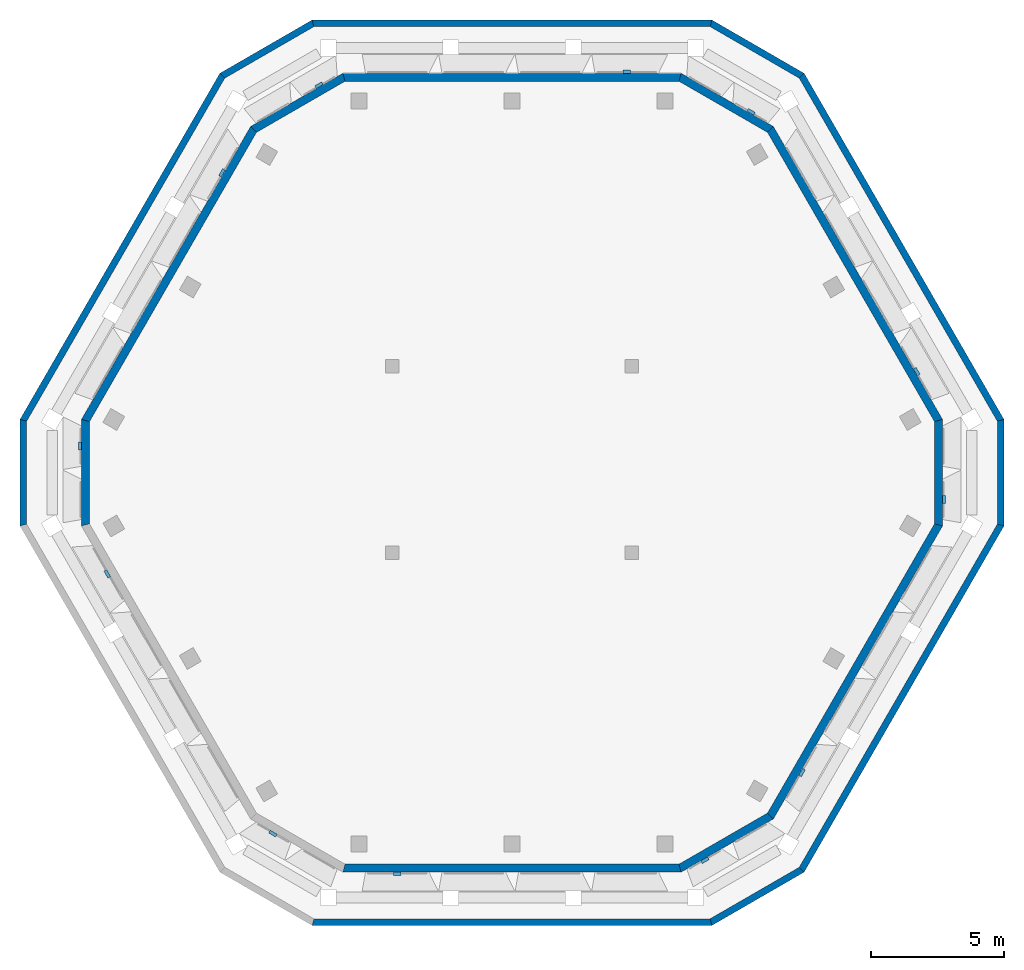
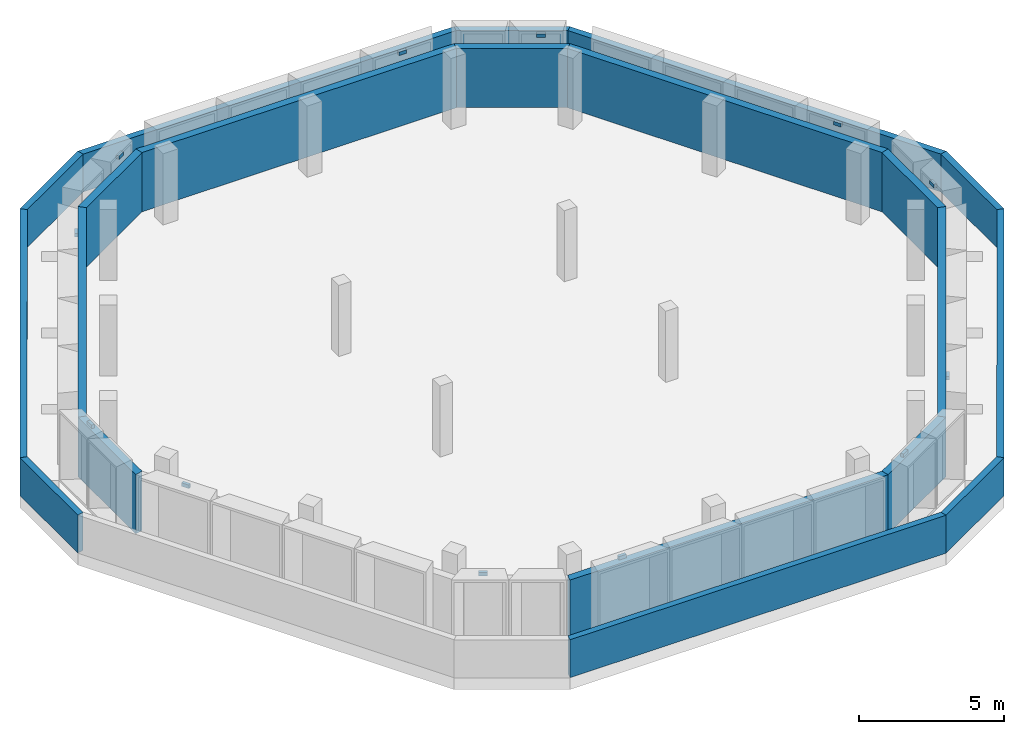
# One storey, part 2 of 3: 20 walls, 12 discrete accessories.
"""IFC4 building model written with IfcOpenShell, lengths in metres."""

from ifc_helpers import new_model, si_unit, direction, frame, origin, place, context, subcontext, project, spatial, polyline, outline, extrude, source, transform, mapped, material, layer, layer_set, type_object, type_shapes, element, save


model = new_model("IFC4")

# Units and contexts
model_context = context("Model", 3, precision=1e-05, world=origin(), true_north=direction((0.0, 1.0)))
body_context = subcontext(model_context, "Body", "Model", "MODEL_VIEW")
ifc_project = project(units=[si_unit("LENGTHUNIT", "METRE"), si_unit("AREAUNIT", "SQUARE_METRE"), si_unit("VOLUMEUNIT", "CUBIC_METRE"), si_unit("PLANEANGLEUNIT", "RADIAN"), si_unit("MASSUNIT", "GRAM", prefix="KILO")], contexts=[model_context])

# Site, building, storey
site_placement = place(None, origin())
site = spatial("IfcSite", under=ifc_project, at=site_placement, CompositionType="ELEMENT")
building_placement = place(site_placement, origin())
building = spatial("IfcBuilding", under=site, at=building_placement, Name="Beryl Residences", CompositionType="ELEMENT")
storey_placement = place(building_placement, frame((0.0, 0.0, 250.800048828125)))
storey = spatial("IfcBuildingStorey", under=building, at=storey_placement, Name="L78", CompositionType="ELEMENT", Elevation=250.800048828125)

# Walls
ifc_material_1 = material(Name="Composite metal panel with mineral wool insulation")
ifc_layer_1 = layer(ifc_material_1, 0.300048828125)
ifc_layer_set_1 = layer_set([ifc_layer_1], Name="ES1 pale metal composite panel wall 300 mm")
wall_type_1 = type_object("IfcWallType", Name="ES1 pale metal composite panel wall 300 mm", PredefinedType="SOLIDWALL", material=ifc_layer_set_1)
wall_1_placement = place(storey_placement, frame((6.35107421875, 14.85009765625, 0.0), z_axis=(0.0, 0.0, 1.0), x_axis=(-1.0, 0.0, 0.0)))
element("IfcWall", 1, at=wall_1_placement, inside=storey, type_object=wall_type_1, Name="ES1 external wall L78 N", PredefinedType="SOLIDWALL", context=body_context, shape_type="SweptSolid", body=[
    extrude(outline(polyline([(0.0, -0.14990234375), (12.7021484375, -0.14990234375), (12.621826171875, 0.14990234375), (0.080322265625, 0.14990234375), (0.0, -0.14990234375)])), origin(), (0.0, 0.0, 1.0), 2.5),
])
wall_2_placement = place(storey_placement, frame((-6.27587890625, 14.8701171875, 0.0), z_axis=(0.0, 0.0, 1.0), x_axis=(-0.866026010844, -0.49999894854, 0.0)))
element("IfcWall", 2, at=wall_2_placement, inside=storey, type_object=wall_type_1, Name="ES1 external wall L78 N-NW", PredefinedType="SOLIDWALL", context=body_context, shape_type="SweptSolid", body=[
    extrude(outline(polyline([(0.0, -0.14990234375), (4.0, -0.14990234375), (3.919677734375, 0.14990234375), (0.080322265625, 0.14990234375), (0.0, -0.14990234375)])), origin(), (0.0, 0.0, 1.0), 2.5),
])
wall_3_placement = place(storey_placement, frame((-9.68505859375, 12.925048828125, 0.0), z_axis=(0.0, 0.0, 1.0), x_axis=(-0.499998648824, -0.866026183885, 0.0)))
element("IfcWall", 3, at=wall_3_placement, inside=storey, type_object=wall_type_1, Name="ES1 external wall L78 NW", PredefinedType="SOLIDWALL", context=body_context, shape_type="SweptSolid", body=[
    extrude(outline(polyline([(0.0, -0.14990234375), (12.70166015625, -0.14990234375), (12.621337890625, 0.14990234375), (0.080322265625, 0.14990234375), (0.0, -0.14990234375)])), origin(), (0.0, 0.0, 1.0), 2.5),
])
wall_4_placement = place(storey_placement, frame((-16.01611328125, 2.0, 0.0), z_axis=(0.0, 0.0, 1.0), x_axis=(0.0, -1.0, 0.0)))
element("IfcWall", 4, at=wall_4_placement, inside=storey, type_object=wall_type_1, Name="ES1 external wall L78 NW-SW", PredefinedType="SOLIDWALL", context=body_context, shape_type="SweptSolid", body=[
    extrude(outline(polyline([(0.0, -0.14990234375), (4.0, -0.14990234375), (3.919677734375, 0.14990234375), (0.080322265625, 0.14990234375), (0.0, -0.14990234375)])), origin(), (0.0, 0.0, 1.0), 2.5),
])
wall_5_placement = place(storey_placement, frame((-6.35107421875, -14.85009765625, 0.0), z_axis=(0.0, 0.0, 1.0), x_axis=(1.0, 0.0, 0.0)))
element("IfcWall", 5, at=wall_5_placement, inside=storey, type_object=wall_type_1, Name="ES1 external wall L78 S", PredefinedType="SOLIDWALL", context=body_context, shape_type="SweptSolid", body=[
    extrude(outline(polyline([(0.0, -0.14990234375), (12.7021484375, -0.14990234375), (12.621826171875, 0.14990234375), (0.080322265625, 0.14990234375), (0.0, -0.14990234375)])), origin(), (0.0, 0.0, 1.0), 2.5),
])
wall_6_placement = place(storey_placement, frame((6.27587890625, -14.8701171875, 0.0), z_axis=(0.0, 0.0, 1.0), x_axis=(0.866026010844, 0.49999894854, 0.0)))
element("IfcWall", 6, at=wall_6_placement, inside=storey, type_object=wall_type_1, Name="ES1 external wall L78 S-SE", PredefinedType="SOLIDWALL", context=body_context, shape_type="SweptSolid", body=[
    extrude(outline(polyline([(0.0, -0.14990234375), (4.0, -0.14990234375), (3.919677734375, 0.14990234375), (0.080322265625, 0.14990234375), (0.0, -0.14990234375)])), origin(), (0.0, 0.0, 1.0), 2.5),
])
wall_7_placement = place(storey_placement, frame((9.68505859375, -12.925048828125, 0.0), z_axis=(0.0, 0.0, 1.0), x_axis=(0.499998648824, 0.866026183885, 0.0)))
element("IfcWall", 7, at=wall_7_placement, inside=storey, type_object=wall_type_1, Name="ES1 external wall L78 SE", PredefinedType="SOLIDWALL", context=body_context, shape_type="SweptSolid", body=[
    extrude(outline(polyline([(0.0, -0.14990234375), (12.70166015625, -0.14990234375), (12.621337890625, 0.14990234375), (0.080322265625, 0.14990234375), (0.0, -0.14990234375)])), origin(), (0.0, 0.0, 1.0), 2.5),
])
wall_8_placement = place(storey_placement, frame((16.01611328125, -2.0, 0.0), z_axis=(0.0, 0.0, 1.0), x_axis=(0.0, 1.0, 0.0)))
element("IfcWall", 8, at=wall_8_placement, inside=storey, type_object=wall_type_1, Name="ES1 external wall L78 SE-NE", PredefinedType="SOLIDWALL", context=body_context, shape_type="SweptSolid", body=[
    extrude(outline(polyline([(0.0, -0.14990234375), (4.0, -0.14990234375), (3.919677734375, 0.14990234375), (0.080322265625, 0.14990234375), (0.0, -0.14990234375)])), origin(), (0.0, 0.0, 1.0), 2.5),
])
wall_9_placement = place(storey_placement, frame((16.035888671875, 1.925048828125, 0.0), z_axis=(0.0, 0.0, 1.0), x_axis=(-0.499998648824, 0.866026183885, 0.0)))
element("IfcWall", 9, at=wall_9_placement, inside=storey, type_object=wall_type_1, Name="ES1 external wall L78 NE", PredefinedType="SOLIDWALL", context=body_context, shape_type="SweptSolid", body=[
    extrude(outline(polyline([(0.0, -0.14990234375), (12.70166015625, -0.14990234375), (12.621337890625, 0.14990234375), (0.080322265625, 0.14990234375), (0.0, -0.14990234375)])), origin(), (0.0, 0.0, 1.0), 2.5),
])
wall_10_placement = place(storey_placement, frame((9.739990234375, 12.8701171875, 0.0), z_axis=(0.0, 0.0, 1.0), x_axis=(-0.866026010844, 0.49999894854, 0.0)))
element("IfcWall", 10, at=wall_10_placement, inside=storey, type_object=wall_type_1, Name="ES1 external wall L78 NE-N", PredefinedType="SOLIDWALL", context=body_context, shape_type="SweptSolid", body=[
    extrude(outline(polyline([(0.0, -0.14990234375), (4.0, -0.14990234375), (3.919677734375, 0.14990234375), (0.080322265625, 0.14990234375), (0.0, -0.14990234375)])), origin(), (0.0, 0.0, 1.0), 2.5),
])
ifc_material_2 = material(Name="Precast concrete C40/50", Category="concrete")
ifc_layer_2 = layer(ifc_material_2, 0.25)
ifc_layer_set_2 = layer_set([ifc_layer_2], Name="PA1 roof parapet 250 mm")
wall_type_2 = type_object("IfcWallType", Name="PA1 roof parapet 250 mm", PredefinedType="PARAPET", material=ifc_layer_set_2)
wall_11_placement = place(storey_placement, frame((7.444091796875, 16.89208984375, 0.0), z_axis=(0.0, 0.0, 1.0), x_axis=(0.865843918487, -0.50031421009, 0.0)))
element("IfcWall", 11, at=wall_11_placement, inside=storey, type_object=wall_type_2, Name="PA1 parapet L78 strip 1", PredefinedType="PARAPET", context=body_context, shape_type="SweptSolid", body=[
    extrude(outline(polyline([(0.067138671875, -0.125), (3.9326171875, -0.125), (3.99951171875, 0.125), (0.0, 0.125), (0.067138671875, -0.125)])), origin(), (0.0, 0.0, 1.0), 1.599853515625),
])
wall_12_placement = place(storey_placement, frame((10.861083984375, 14.93701171875, 0.0), z_axis=(0.0, 0.0, 1.0), x_axis=(0.500043453909, -0.866000314205, 0.0)))
element("IfcWall", 12, at=wall_12_placement, inside=storey, type_object=wall_type_2, Name="PA1 parapet L78 strip 2", PredefinedType="PARAPET", context=body_context, shape_type="SweptSolid", body=[
    extrude(outline(polyline([(0.06689453125, -0.125), (14.943603515625, -0.125), (15.010498046875, 0.125), (0.0, 0.125), (0.06689453125, -0.125)])), origin(), (0.0, 0.0, 1.0), 1.599853515625),
])
wall_13_placement = place(storey_placement, frame((18.35009765625, 2.0, 0.0), z_axis=(0.0, 0.0, 1.0), x_axis=(0.0, -1.0, 0.0)))
element("IfcWall", 13, at=wall_13_placement, inside=storey, type_object=wall_type_2, Name="PA1 parapet L78 strip 3", PredefinedType="PARAPET", context=body_context, shape_type="SweptSolid", body=[
    extrude(outline(polyline([(0.06689453125, -0.125), (3.93310546875, -0.125), (4.0, 0.125), (0.0, 0.125), (0.06689453125, -0.125)])), origin(), (0.0, 0.0, 1.0), 1.599853515625),
])
wall_14_placement = place(storey_placement, frame((18.366943359375, -1.93798828125, 0.0), z_axis=(0.0, 0.0, 1.0), x_axis=(-0.500043453909, -0.866000314205, 0.0)))
element("IfcWall", 14, at=wall_14_placement, inside=storey, type_object=wall_type_2, Name="PA1 parapet L78 strip 4", PredefinedType="PARAPET", context=body_context, shape_type="SweptSolid", body=[
    extrude(outline(polyline([(0.06689453125, -0.125), (14.943603515625, -0.125), (15.010498046875, 0.125), (0.0, 0.125), (0.06689453125, -0.125)])), origin(), (0.0, 0.0, 1.0), 1.599853515625),
])
wall_15_placement = place(storey_placement, frame((10.906982421875, -14.89111328125, 0.0), z_axis=(0.0, 0.0, 1.0), x_axis=(-0.865843918487, -0.50031421009, 0.0)))
element("IfcWall", 15, at=wall_15_placement, inside=storey, type_object=wall_type_2, Name="PA1 parapet L78 strip 5", PredefinedType="PARAPET", context=body_context, shape_type="SweptSolid", body=[
    extrude(outline(polyline([(0.06689453125, -0.125), (3.932373046875, -0.125), (3.99951171875, 0.125), (0.0, 0.125), (0.06689453125, -0.125)])), origin(), (0.0, 0.0, 1.0), 1.599853515625),
])
wall_16_placement = place(storey_placement, frame((7.507080078125, -16.875, 0.0), z_axis=(0.0, 0.0, 1.0), x_axis=(-1.0, 0.0, 0.0)))
element("IfcWall", 16, at=wall_16_placement, inside=storey, type_object=wall_type_2, Name="PA1 parapet L78 strip 6", PredefinedType="PARAPET", context=body_context, shape_type="SweptSolid", body=[
    extrude(outline(polyline([(0.067138671875, -0.125), (14.947021484375, -0.125), (15.01416015625, 0.125), (0.0, 0.125), (0.067138671875, -0.125)])), origin(), (0.0, 0.0, 1.0), 1.599853515625),
])
wall_17_placement = place(storey_placement, frame((-18.35009765625, -2.0, 0.0), z_axis=(0.0, 0.0, 1.0), x_axis=(0.0, 1.0, 0.0)))
element("IfcWall", 17, at=wall_17_placement, inside=storey, type_object=wall_type_2, Name="PA1 parapet L78 strip 9", PredefinedType="PARAPET", context=body_context, shape_type="SweptSolid", body=[
    extrude(outline(polyline([(0.06689453125, -0.125), (3.93310546875, -0.125), (4.0, 0.125), (0.0, 0.125), (0.06689453125, -0.125)])), origin(), (0.0, 0.0, 1.0), 1.599853515625),
])
wall_18_placement = place(storey_placement, frame((-18.366943359375, 1.93798828125, 0.0), z_axis=(0.0, 0.0, 1.0), x_axis=(0.500043453909, 0.866000314205, 0.0)))
element("IfcWall", 18, at=wall_18_placement, inside=storey, type_object=wall_type_2, Name="PA1 parapet L78 strip 10", PredefinedType="PARAPET", context=body_context, shape_type="SweptSolid", body=[
    extrude(outline(polyline([(0.06689453125, -0.125), (14.943603515625, -0.125), (15.010498046875, 0.125), (0.0, 0.125), (0.06689453125, -0.125)])), origin(), (0.0, 0.0, 1.0), 1.599853515625),
])
wall_19_placement = place(storey_placement, frame((-10.906982421875, 14.89111328125, 0.0), z_axis=(0.0, 0.0, 1.0), x_axis=(0.865843918487, 0.50031421009, 0.0)))
element("IfcWall", 19, at=wall_19_placement, inside=storey, type_object=wall_type_2, Name="PA1 parapet L78 strip 11", PredefinedType="PARAPET", context=body_context, shape_type="SweptSolid", body=[
    extrude(outline(polyline([(0.06689453125, -0.125), (3.932373046875, -0.125), (3.99951171875, 0.125), (0.0, 0.125), (0.06689453125, -0.125)])), origin(), (0.0, 0.0, 1.0), 1.599853515625),
])
wall_20_placement = place(storey_placement, frame((-7.507080078125, 16.875, 0.0), z_axis=(0.0, 0.0, 1.0), x_axis=(1.0, 0.0, 0.0)))
element("IfcWall", 20, at=wall_20_placement, inside=storey, type_object=wall_type_2, Name="PA1 parapet L78 strip 12", PredefinedType="PARAPET", context=body_context, shape_type="SweptSolid", body=[
    extrude(outline(polyline([(0.067138671875, -0.125), (14.947021484375, -0.125), (15.01416015625, 0.125), (0.0, 0.125), (0.067138671875, -0.125)])), origin(), (0.0, 0.0, 1.0), 1.599853515625),
])

# Discrete accessories
ifc_material_3 = material(Name="Steel S355", Category="steel")
discrete_accessory_type = type_object("IfcDiscreteAccessoryType", Name="BR1 frame bracket 300 x 120 x 150 mm", PredefinedType="BRACKET", material=ifc_material_3)
shared_shape = source(origin(), body_context, "Body", "SweptSolid", [
    extrude(outline(polyline([(-0.14990234375, 0.0), (0.14990234375, 0.0), (0.14990234375, 0.1201171875), (-0.14990234375, 0.1201171875), (-0.14990234375, 0.0)])), origin(), (0.0, 0.0, 1.0), 0.14990234375),
])
type_shapes(discrete_accessory_type, [shared_shape])
for number, where, z_axis, x_axis, name in (
    (21, (4.30908203125, 15.0, 2.75), (0.0, 0.0, 1.0), (1.0, 0.0, 0.0), "BR1 bracket L78 N 1"),
    (22, (-7.217041015625, 14.5, 2.75), (0.0, 0.0, 1.0), (0.866025403784, 0.5, 0.0), "BR1 bracket L78 N-NW 1"),
    (23, (-10.8359375, 11.23095703125, 2.75), (0.0, 0.0, 1.0), (0.5, 0.866025403784, 0.0), "BR1 bracket L78 NW 1"),
    (24, (-16.166015625, 1.0, 2.75), (0.0, 0.0, 1.0), (0.0, 1.0, 0.0), "BR1 bracket L78 NW-SW 1"),
    (25, (-15.14599609375, -3.76904296875, 2.75), (0.0, 0.0, 1.0), (-0.5, 0.866025403784, 0.0), "BR1 bracket L78 SW 1"),
    (26, (-8.948974609375, -13.5, 2.75), (0.0, 0.0, 1.0), (-0.866025403784, 0.5, 0.0), "BR1 bracket L78 SW-S 1"),
    (27, (-4.30908203125, -15.0, 2.75), (0.0, 0.0, 1.0), (-1.0, 0.0, 0.0), "BR1 bracket L78 S 1"),
    (28, (7.217041015625, -14.5, 2.75), (0.0, 0.0, 1.0), (-0.866025403784, -0.5, 0.0), "BR1 bracket L78 S-SE 1"),
    (29, (10.8359375, -11.23095703125, 2.75), (0.0, 0.0, 1.0), (-0.5, -0.866025403784, 0.0), "BR1 bracket L78 SE 1"),
    (30, (16.166015625, -1.0, 2.75), (0.0, 0.0, 1.0), (0.0, -1.0, 0.0), "BR1 bracket L78 SE-NE 1"),
    (31, (15.14599609375, 3.76904296875, 2.75), (0.0, 0.0, 1.0), (0.5, -0.866025403784, 0.0), "BR1 bracket L78 NE 1"),
    (32, (8.948974609375, 13.5, 2.75), (0.0, 0.0, 1.0), (0.866025403784, -0.5, 0.0), "BR1 bracket L78 NE-N 1"),
):
    element("IfcDiscreteAccessory", number, at=place(storey_placement, frame(where, z_axis=z_axis, x_axis=x_axis)), inside=storey, type_object=discrete_accessory_type, Name=name, PredefinedType="BRACKET", context=body_context, shape_type="MappedRepresentation", body=[
        mapped(shared_shape, transform((0.0, 0.0, 0.0))),
    ])

save(model, "model.ifc")
